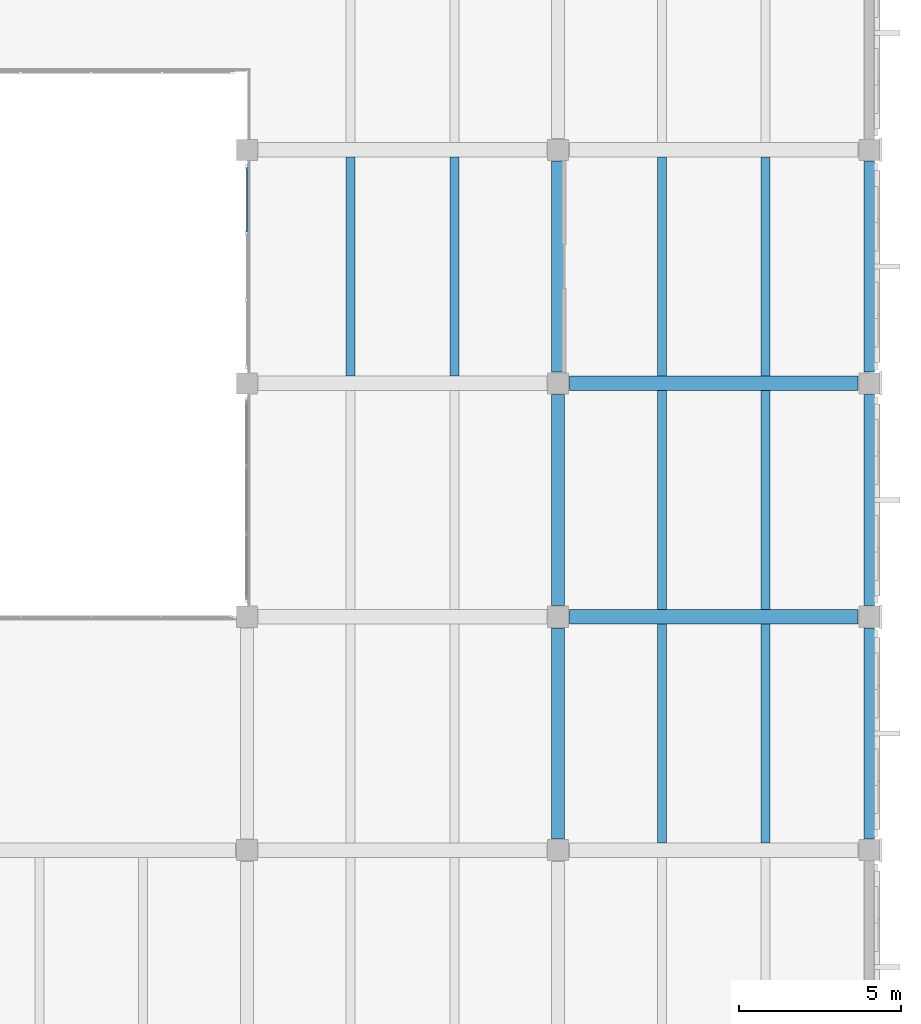
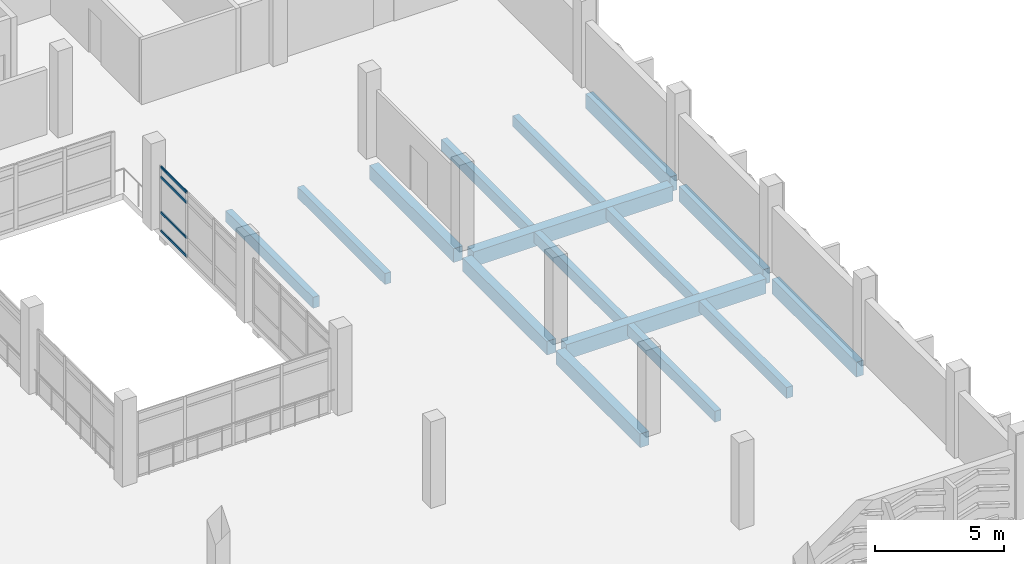
# One storey, part 69 of 134: 16 beams, 4 members, 1 element without a shape of its own.
"""IFC4 building model written with IfcOpenShell, lengths in metres."""

from ifc_helpers import new_model, si_unit, direction, frame, origin, origin_2d, place, context, subcontext, project, spatial, rectangle, hollow_rectangle, extrude, material, layer, layer_set, material_profile, profile_set, type_object, element, aggregate, save


model = new_model("IFC4")

# Units and contexts
model_context = context("Model", 3, precision=1e-05, world=origin(), true_north=direction((0.0, 1.0)))
body_context = subcontext(model_context, "Body", "Model", "MODEL_VIEW")
ifc_project = project(units=[si_unit("LENGTHUNIT", "METRE"), si_unit("AREAUNIT", "SQUARE_METRE"), si_unit("VOLUMEUNIT", "CUBIC_METRE"), si_unit("PLANEANGLEUNIT", "RADIAN"), si_unit("MASSUNIT", "GRAM", prefix="KILO")], contexts=[model_context])

# Site, building, storey
site_placement = place(None, origin())
site = spatial("IfcSite", under=ifc_project, at=site_placement, CompositionType="ELEMENT")
building_placement = place(site_placement, origin())
building = spatial("IfcBuilding", under=site, at=building_placement, Name="Asteropetra Specialist Clinic", CompositionType="ELEMENT")
storey_placement = place(building_placement, frame((0.0, 0.0, 8.5)))
storey = spatial("IfcBuildingStorey", under=building, at=storey_placement, Name="L02", CompositionType="ELEMENT", Elevation=8.5)

# Beams
ifc_material_1 = material(Name="Concrete C35/45", Category="concrete")
ifc_material_profile_1 = material_profile(ifc_material_1, rectangle(XDim=0.39990234375, YDim=0.64990234375, at=origin_2d()), Name="RCB 400x650")
ifc_profile_set_1 = profile_set([ifc_material_profile_1], Name="Concrete C35/45")
beam_type_1 = type_object("IfcBeamType", Name="BM-RC400x650", PredefinedType="BEAM", material=ifc_profile_set_1)
for number, where, z_axis, x_axis, name in (
    (1, (144.0, 12.35009765625, -0.625), (0.0, 1.0, 0.0), (-1.0, 0.0, 0.0), "Beam BBM07-1185"),
    (2, (144.0, 19.550048828125, -0.625), (0.0, 1.0, 0.0), (-1.0, 0.0, 0.0), "Beam BBM07-1195"),
    (3, (144.0, 26.75, -0.625), (0.0, 1.0, 0.0), (-1.0, 0.0, 0.0), "Beam BBM07-1207"),
):
    element("IfcBeam", number, at=place(storey_placement, frame(where, z_axis=z_axis, x_axis=x_axis)), inside=storey, type_object=beam_type_1, Name=name, PredefinedType="BEAM", context=body_context, shape_type="SweptSolid", body=[
        extrude(rectangle(XDim=0.39990234375, YDim=0.64990234375, at=origin_2d()), origin(), (0.0, 0.0, 1.0), 6.5),
    ])
ifc_material_2 = material(Name="Concrete C35/45", Category="concrete")
ifc_material_profile_2 = material_profile(ifc_material_2, rectangle(XDim=0.449951171875, YDim=0.699951171875, at=origin_2d()), Name="RCB 450x700")
ifc_profile_set_2 = profile_set([ifc_material_profile_2], Name="Concrete C35/45")
beam_type_2 = type_object("IfcBeamType", Name="BM-RC450x700", PredefinedType="BEAM", material=ifc_profile_set_2)
for number, where, z_axis, x_axis, name in (
    (4, (144.35009765625, 19.199951171875, -0.64990234375), (1.0, 0.0, 0.0), (0.0, 1.0, 0.0), "Beam BBM05-1135"),
    (5, (144.35009765625, 26.39990234375, -0.64990234375), (1.0, 0.0, 0.0), (0.0, 1.0, 0.0), "Beam BBM05-1139"),
):
    element("IfcBeam", number, at=place(storey_placement, frame(where, z_axis=z_axis, x_axis=x_axis)), inside=storey, type_object=beam_type_2, Name=name, PredefinedType="BEAM", context=body_context, shape_type="SweptSolid", body=[
        extrude(rectangle(XDim=0.449951171875, YDim=0.699951171875, at=origin_2d()), origin(), (0.0, 0.0, 1.0), 8.89990234375),
    ])

# Curtain wall, members
ifc_material_3 = material(Name="Aluminium and low-E glass", Category="aluminium")
ifc_layer = layer(ifc_material_3, 0.135009765625)
ifc_layer_set = layer_set([ifc_layer], Name="Aluminium and low-E glass")
curtain_wall_type = type_object("IfcCurtainWallType", Name="CW-SYS-12", PredefinedType="USERDEFINED", material=ifc_layer_set)
curtain_wall_placement = place(storey_placement, origin())
curtain_wall = element("IfcCurtainWall", 6, at=curtain_wall_placement, inside=storey, type_object=curtain_wall_type, Name="Curtain Wall CW-082", ObjectType="STICK GLAZED COLONNADE", PredefinedType="USERDEFINED")
ifc_material_4 = material(Name="Aluminium 6063-T6", Category="aluminium")
ifc_material_profile_3 = material_profile(ifc_material_4, hollow_rectangle(XDim=0.06494140625, YDim=0.1201171875, WallThickness=0.00390625, InnerFilletRadius=0.00390625, OuterFilletRadius=0.008056640625, at=origin_2d()), Name="TRN 120x65x4.0")
ifc_profile_set_3 = profile_set([ifc_material_profile_3], Name="Aluminium 6063-T6")
member_type = type_object("IfcMemberType", Name="CWT-120x65", PredefinedType="USERDEFINED", material=ifc_profile_set_3)
member_1_placement = place(storey_placement, frame((134.39990234375, 31.07080078125, 0.032470703125), z_axis=(0.0, 1.0, 0.0), x_axis=(-1.0, 0.0, 0.0)))
member_1 = element("IfcMember", 7, at=member_1_placement, type_object=member_type, Name="CW-082 transom 3.1", ObjectType="TRANSOM", PredefinedType="USERDEFINED", context=body_context, shape_type="SweptSolid", body=[
    extrude(hollow_rectangle(XDim=0.06494140625, YDim=0.1201171875, WallThickness=0.00390625, InnerFilletRadius=0.00390625, OuterFilletRadius=0.008056640625, at=origin_2d()), origin(), (0.0, 0.0, 1.0), 1.979248046875),
])
member_2_placement = place(storey_placement, frame((134.39990234375, 31.07080078125, 0.89990234375), z_axis=(0.0, 1.0, 0.0), x_axis=(-1.0, 0.0, 0.0)))
member_2 = element("IfcMember", 8, at=member_2_placement, type_object=member_type, Name="CW-082 transom 3.2", ObjectType="TRANSOM", PredefinedType="USERDEFINED", context=body_context, shape_type="SweptSolid", body=[
    extrude(hollow_rectangle(XDim=0.06494140625, YDim=0.1201171875, WallThickness=0.00390625, InnerFilletRadius=0.00390625, OuterFilletRadius=0.008056640625, at=origin_2d()), origin(), (0.0, 0.0, 1.0), 1.979248046875),
])
member_3_placement = place(storey_placement, frame((134.39990234375, 31.07080078125, 2.56005859375), z_axis=(0.0, 1.0, 0.0), x_axis=(-1.0, 0.0, 0.0)))
member_3 = element("IfcMember", 9, at=member_3_placement, type_object=member_type, Name="CW-082 transom 3.3", ObjectType="TRANSOM", PredefinedType="USERDEFINED", context=body_context, shape_type="SweptSolid", body=[
    extrude(hollow_rectangle(XDim=0.06494140625, YDim=0.1201171875, WallThickness=0.00390625, InnerFilletRadius=0.00390625, OuterFilletRadius=0.008056640625, at=origin_2d()), origin(), (0.0, 0.0, 1.0), 1.979248046875),
])
member_4_placement = place(storey_placement, frame((134.39990234375, 31.07080078125, 3.027587890625), z_axis=(0.0, 1.0, 0.0), x_axis=(-1.0, 0.0, 0.0)))
member_4 = element("IfcMember", 10, at=member_4_placement, type_object=member_type, Name="CW-082 transom 3.4", ObjectType="TRANSOM", PredefinedType="USERDEFINED", context=body_context, shape_type="SweptSolid", body=[
    extrude(hollow_rectangle(XDim=0.06494140625, YDim=0.1201171875, WallThickness=0.00390625, InnerFilletRadius=0.00390625, OuterFilletRadius=0.008056640625, at=origin_2d()), origin(), (0.0, 0.0, 1.0), 1.979248046875),
])
aggregate(curtain_wall, [member_1, member_2, member_3, member_4])

# Beams
ifc_material_5 = material(Name="Concrete C35/45", Category="concrete")
ifc_material_profile_4 = material_profile(ifc_material_5, rectangle(XDim=0.280029296875, YDim=0.52001953125, at=origin_2d()), Name="RCJ 280x520")
ifc_profile_set_4 = profile_set([ifc_material_profile_4], Name="Concrete C35/45")
beam_type_3 = type_object("IfcBeamType", Name="JST-RC280x520", PredefinedType="JOIST", material=ifc_profile_set_4)
for number, where, z_axis, x_axis, name in (
    (11, (147.199951171875, 12.22509765625, -0.56005859375), (0.0, 1.0, 0.0), (-1.0, 0.0, 0.0), "Joist JJST01-1191"),
    (12, (150.39990234375, 12.22509765625, -0.56005859375), (0.0, 1.0, 0.0), (-1.0, 0.0, 0.0), "Joist JJST01-1192"),
    (13, (147.199951171875, 19.425048828125, -0.56005859375), (0.0, 1.0, 0.0), (-1.0, 0.0, 0.0), "Joist JJST01-1203"),
    (14, (150.39990234375, 19.425048828125, -0.56005859375), (0.0, 1.0, 0.0), (-1.0, 0.0, 0.0), "Joist JJST01-1204"),
    (15, (137.60009765625, 26.625, -0.56005859375), (0.0, 1.0, 0.0), (-1.0, 0.0, 0.0), "Joist JJST01-1213"),
    (16, (140.800048828125, 26.625, -0.56005859375), (0.0, 1.0, 0.0), (-1.0, 0.0, 0.0), "Joist JJST01-1214"),
    (17, (147.199951171875, 26.625, -0.56005859375), (0.0, 1.0, 0.0), (-1.0, 0.0, 0.0), "Joist JJST01-1215"),
    (18, (150.39990234375, 26.625, -0.56005859375), (0.0, 1.0, 0.0), (-1.0, 0.0, 0.0), "Joist JJST01-1216"),
):
    element("IfcBeam", number, at=place(storey_placement, frame(where, z_axis=z_axis, x_axis=x_axis)), inside=storey, type_object=beam_type_3, Name=name, PredefinedType="JOIST", context=body_context, shape_type="SweptSolid", body=[
        extrude(rectangle(XDim=0.280029296875, YDim=0.52001953125, at=origin_2d()), origin(), (0.0, 0.0, 1.0), 6.75),
    ])
ifc_material_6 = material(Name="Concrete C35/45", Category="concrete")
ifc_material_profile_5 = material_profile(ifc_material_6, rectangle(XDim=0.320068359375, YDim=0.699951171875, at=origin_2d()), Name="RCS 320x700")
ifc_profile_set_5 = profile_set([ifc_material_profile_5], Name="Concrete C35/45")
beam_type_4 = type_object("IfcBeamType", Name="SPN-RC320x700", PredefinedType="SPANDREL", material=ifc_profile_set_5)
for number, where, z_axis, x_axis, name in (
    (19, (153.60009765625, 12.35009765625, -0.64990234375), (0.0, 1.0, 0.0), (-1.0, 0.0, 0.0), "Beam BSPN02-1186"),
    (20, (153.60009765625, 19.550048828125, -0.64990234375), (0.0, 1.0, 0.0), (-1.0, 0.0, 0.0), "Beam BSPN02-1196"),
    (21, (153.60009765625, 26.75, -0.64990234375), (0.0, 1.0, 0.0), (-1.0, 0.0, 0.0), "Beam BSPN02-1208"),
):
    element("IfcBeam", number, at=place(storey_placement, frame(where, z_axis=z_axis, x_axis=x_axis)), inside=storey, type_object=beam_type_4, Name=name, PredefinedType="SPANDREL", context=body_context, shape_type="SweptSolid", body=[
        extrude(rectangle(XDim=0.320068359375, YDim=0.699951171875, at=origin_2d()), origin(), (0.0, 0.0, 1.0), 6.5),
    ])

save(model, "model.ifc")
